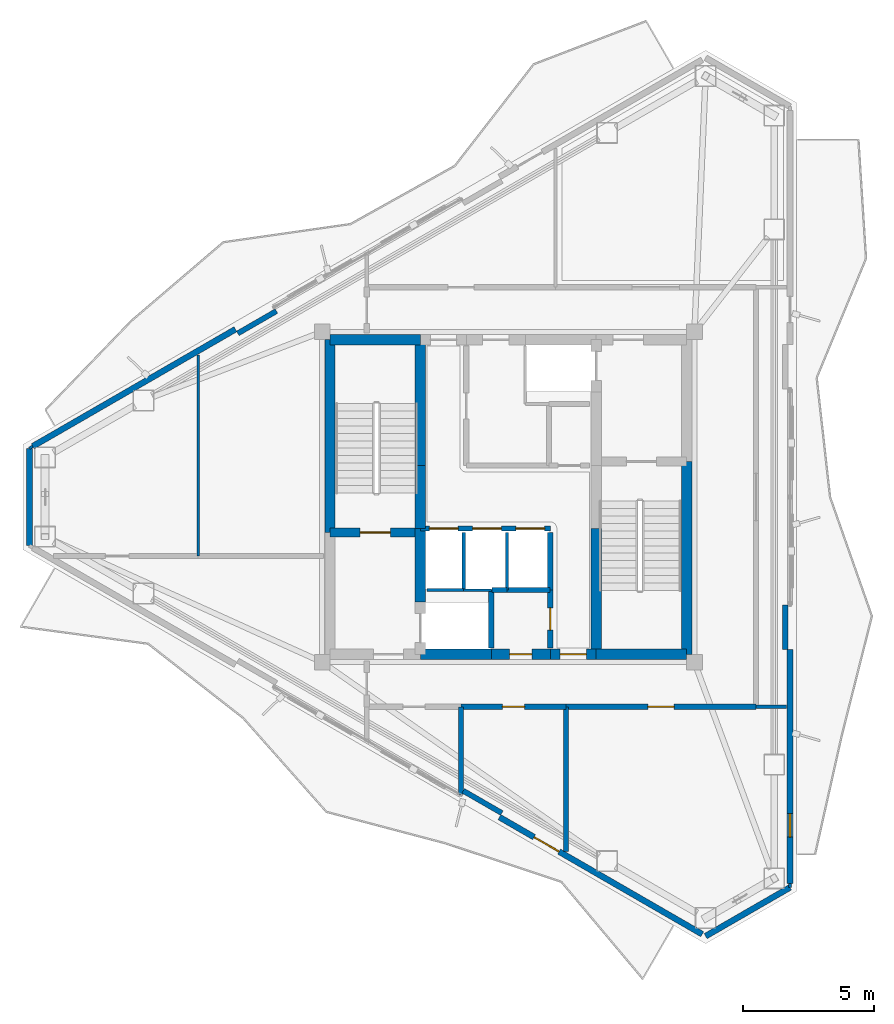
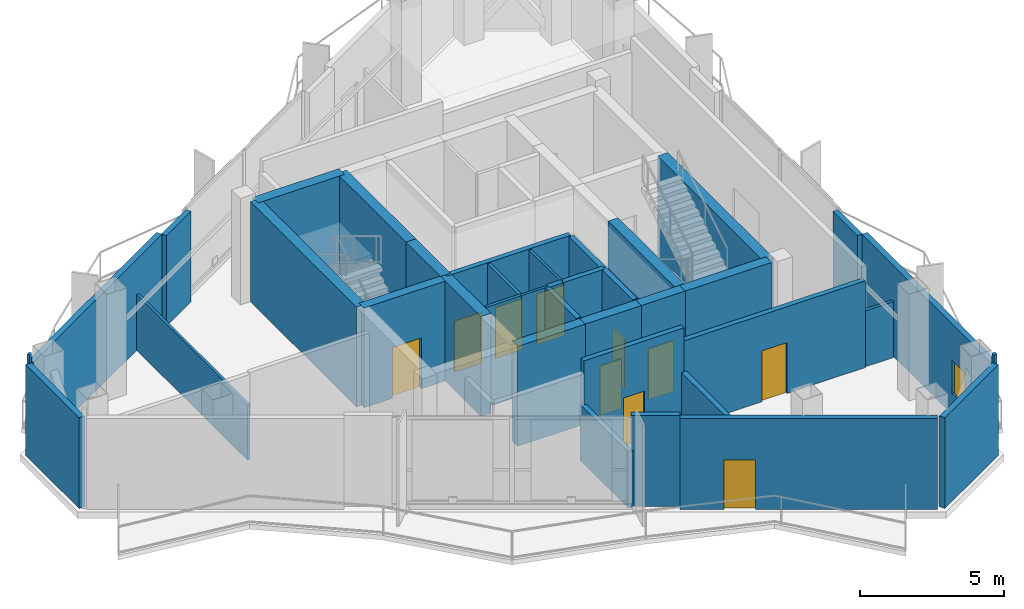
# One storey, part 10 of 14: 38 walls, 10 doors, 1 window, 11 openings.
"""IFC4 building model written with IfcOpenShell, lengths in metres."""

from ifc_helpers import new_model, si_unit, direction, frame, frame_2d, origin, place, context, subcontext, project, spatial, rectangle, extrude, material, layer, layer_set, type_object, element, fill, save


model = new_model("IFC4")

# Units and contexts
model_context = context("Model", 3, precision=1e-05, world=origin(), true_north=direction((0.0, 1.0)))
body_context = subcontext(model_context, "Body", "Model", "MODEL_VIEW")
ifc_project = project(units=[si_unit("LENGTHUNIT", "METRE"), si_unit("AREAUNIT", "SQUARE_METRE"), si_unit("VOLUMEUNIT", "CUBIC_METRE"), si_unit("PLANEANGLEUNIT", "RADIAN"), si_unit("MASSUNIT", "GRAM", prefix="KILO")], contexts=[model_context])

# Site, building, storey
site_placement = place(None, origin())
site = spatial("IfcSite", under=ifc_project, at=site_placement, CompositionType="ELEMENT")
building_placement = place(site_placement, origin())
building = spatial("IfcBuilding", under=site, at=building_placement, Name="Mersakhor Tower and Convention Hall", CompositionType="ELEMENT")
storey_placement = place(building_placement, frame((0.0, 0.0, 249.60009765625)))
storey = spatial("IfcBuildingStorey", under=building, at=storey_placement, Name="L70", CompositionType="ELEMENT", Elevation=249.60009765625)

# Walls
ifc_material_1 = material(Name="Precast concrete C40/50", Category="concrete")
ifc_layer_1 = layer(ifc_material_1, 0.22509765625)
ifc_layer_set_1 = layer_set([ifc_layer_1], Name="Precast concrete C40/50")
wall_type_1 = type_object("IfcWallType", Name="WL-EXT-225", PredefinedType="SOLIDWALL", material=ifc_layer_set_1)
wall_1_placement = place(storey_placement, frame((39.742919921875, 11.858154296875, 0.0), z_axis=(0.0, 0.0, 1.0), x_axis=(-0.866038962515, -0.499976514854, 0.0)))
element("IfcWall", 1, at=wall_1_placement, inside=storey, type_object=wall_type_1, Name="L70 Chamfer Braced Spandrel Wall C2", PredefinedType="SOLIDWALL", context=body_context, shape_type="SweptSolid", body=[
    extrude(rectangle(XDim=3.715576171875, YDim=0.22509765625, at=frame_2d((1.85791015625, 0.0))), origin(), (0.0, 0.0, 1.0), 3.83984375),
])
wall_2_placement = place(storey_placement, frame((10.73193359375, 24.892333984375, 0.0), z_axis=(0.0, 0.0, 1.0), x_axis=(0.0, 1.0, 0.0)))
element("IfcWall", 2, at=wall_2_placement, inside=storey, type_object=wall_type_1, Name="L70 Chamfer Braced Spandrel Wall C3", PredefinedType="SOLIDWALL", context=body_context, shape_type="SweptSolid", body=[
    extrude(rectangle(XDim=3.71533203125, YDim=0.22509765625, at=frame_2d((1.857666015625, 0.0))), origin(), (0.0, 0.0, 1.0), 3.83984375),
])
wall_3_placement = place(storey_placement, frame((10.86181640625, 28.6826171875, 0.0), z_axis=(0.0, 0.0, 1.0), x_axis=(0.866026655105, 0.499997832642, 0.0)))
element("IfcWall", 3, at=wall_3_placement, inside=storey, type_object=wall_type_1, Name="L70 Exterior Facade Wall F1-B1", PredefinedType="SOLIDWALL", context=body_context, shape_type="SweptSolid", body=[
    extrude(rectangle(XDim=8.927734375, YDim=0.22509765625, at=frame_2d((4.4638671875, 0.0))), origin(), (0.0, 0.0, 1.0), 3.83984375),
])

# Wall, opening, window
wall_4_placement = place(storey_placement, frame((39.742919921875, 20.93603515625, 0.0), z_axis=(0.0, 0.0, 1.0), x_axis=(0.0, -1.0, 0.0)))
wall_4 = element("IfcWall", 4, at=wall_4_placement, inside=storey, type_object=wall_type_1, Name="L70 Exterior Facade Wall F2-B3", PredefinedType="SOLIDWALL", context=body_context, shape_type="SweptSolid", body=[
    extrude(rectangle(XDim=8.927734375, YDim=0.22509765625, at=frame_2d((4.4638671875, 0.0))), origin(), (0.0, 0.0, 1.0), 3.83984375),
])
opening_1_placement = place(wall_4_placement, frame((6.261962890625, 0.0, 0.89990234375)))
opening_1 = element("IfcOpeningElement", 5, at=opening_1_placement, cuts=wall_4, Name="Opening W-06", PredefinedType="OPENING", context=body_context, shape_type="SweptSolid", body=[
    extrude(rectangle(XDim=0.89990234375, YDim=1.39990234375, at=frame_2d((0.449951171875, 0.699951171875))), frame((0.0, 0.12255859375, 0.0), z_axis=(0.0, -1.0, 0.0), x_axis=(1.0, 0.0, 0.0)), (0.0, 0.0, 1.0), 0.2451171875),
])
ifc_material_2 = material(Name="Dark solar low-E glazed aluminium window", Category="aluminium")
window_type = type_object("IfcWindowType", Name="WN-STD-090x140", PartitioningType="SINGLE_PANEL", PredefinedType="WINDOW", material=ifc_material_2)
window_placement = place(opening_1_placement, origin())
window = element("IfcWindow", 6, at=window_placement, inside=storey, type_object=window_type, Name="L70 Facade Punched Window F2-B3", OverallHeight=1.39990234375, OverallWidth=0.89990234375, PartitioningType="SINGLE_PANEL", PredefinedType="WINDOW", context=body_context, shape_type="SweptSolid", body=[
    extrude(rectangle(XDim=0.89990234375, YDim=1.39990234375, at=frame_2d((0.449951171875, 0.699951171875))), frame((0.0, 0.030029296875, 0.0), z_axis=(0.0, -1.0, 0.0), x_axis=(1.0, 0.0, 0.0)), (0.0, 0.0, 1.0), 0.06005859375),
])
fill(opening_1, window)

# Wall, opening, door
wall_5_placement = place(storey_placement, frame((36.395263671875, 10.07568359375, 0.0), z_axis=(0.0, 0.0, 1.0), x_axis=(-0.866026655105, 0.499997832642, 0.0)))
wall_5 = element("IfcWall", 7, at=wall_5_placement, inside=storey, type_object=wall_type_1, Name="L70 Exterior Facade Wall F3-B1", PredefinedType="SOLIDWALL", context=body_context, shape_type="SweptSolid", body=[
    extrude(rectangle(XDim=8.927734375, YDim=0.22509765625, at=frame_2d((4.4638671875, 0.0))), origin(), (0.0, 0.0, 1.0), 3.83984375),
])
opening_2_placement = place(wall_5_placement, frame((6.302001953125, 0.0, 0.0)))
opening_2 = element("IfcOpeningElement", 8, at=opening_2_placement, cuts=wall_5, Name="Opening BD-02", PredefinedType="OPENING", context=body_context, shape_type="SweptSolid", body=[
    extrude(rectangle(XDim=1.10009765625, YDim=2.10009765625, at=frame_2d((0.550048828125, 1.050048828125))), frame((0.0, 0.12255859375, 0.0), z_axis=(0.0, -1.0, 0.0), x_axis=(1.0, 0.0, 0.0)), (0.0, 0.0, 1.0), 0.2451171875),
])
ifc_material_3 = material(Name="Thermally broken dark aluminium and safety glass", Category="aluminium")
door_type_1 = type_object("IfcDoorType", Name="DR-BAL-110x210", OperationType="NOTDEFINED", PredefinedType="DOOR", material=ifc_material_3)
door_1_placement = place(opening_2_placement, origin())
door_1 = element("IfcDoor", 9, at=door_1_placement, inside=storey, type_object=door_type_1, Name="L70 Balcony Terrace Door F3-B1", OperationType="SINGLE_SWING_RIGHT", OverallHeight=2.10009765625, OverallWidth=1.10009765625, PredefinedType="DOOR", context=body_context, shape_type="SweptSolid", body=[
    extrude(rectangle(XDim=1.10009765625, YDim=2.10009765625, at=frame_2d((0.550048828125, 1.050048828125))), frame((0.0, 0.02490234375, 0.0), z_axis=(0.0, -1.0, 0.0), x_axis=(1.0, 0.0, 0.0)), (0.0, 0.0, 1.0), 0.050048828125),
])
fill(opening_2, door_1)

# Walls
ifc_material_4 = material(Name="Precast concrete C40/50", Category="concrete")
ifc_layer_2 = layer(ifc_material_4, 0.199951171875)
ifc_layer_set_2 = layer_set([ifc_layer_2], Name="Precast concrete C40/50")
wall_type_2 = type_object("IfcWallType", Name="WL-PAR-200", PredefinedType="PARAPET", material=ifc_layer_set_2)
wall_6_placement = place(storey_placement, frame((18.68359375, 32.99072265625, 0.0), z_axis=(0.0, 0.0, 1.0), x_axis=(0.866025371046, 0.500000056704, 0.0)))
element("IfcWall", 10, at=wall_6_placement, inside=storey, type_object=wall_type_2, Name="L70 Column Pier Cladding Wall F1-C1", PredefinedType="PARAPET", context=body_context, shape_type="SweptSolid", body=[
    extrude(rectangle(XDim=1.7001953125, YDim=0.199951171875, at=frame_2d((0.85009765625, 0.0))), origin(), (0.0, 0.0, 1.0), 3.83984375),
])
wall_7_placement = place(storey_placement, frame((39.562744140625, 22.635986328125, 0.0), z_axis=(0.0, 0.0, 1.0), x_axis=(0.0, -1.0, 0.0)))
element("IfcWall", 11, at=wall_7_placement, inside=storey, type_object=wall_type_2, Name="L70 Column Pier Cladding Wall F2-C2", PredefinedType="PARAPET", context=body_context, shape_type="SweptSolid", body=[
    extrude(rectangle(XDim=1.699951171875, YDim=0.199951171875, at=frame_2d((0.85009765625, 0.0))), origin(), (0.0, 0.0, 1.0), 3.83984375),
])
wall_8_placement = place(storey_placement, frame((28.753662109375, 14.6953125, 0.0), z_axis=(0.0, 0.0, 1.0), x_axis=(-0.866025371046, 0.500000056704, 0.0)))
element("IfcWall", 12, at=wall_8_placement, inside=storey, type_object=wall_type_2, Name="L70 Column Pier Cladding Wall F3-C1", PredefinedType="PARAPET", context=body_context, shape_type="SweptSolid", body=[
    extrude(rectangle(XDim=1.7001953125, YDim=0.199951171875, at=frame_2d((0.85009765625, 0.0))), origin(), (0.0, 0.0, 1.0), 3.83984375),
])
ifc_material_5 = material(Name="Lightweight gypsum partition", Category="other")
ifc_layer_3 = layer(ifc_material_5, 0.10009765625)
ifc_layer_set_3 = layer_set([ifc_layer_3], Name="Lightweight gypsum partition")
wall_type_3 = type_object("IfcWallType", Name="WL-PRT-100", PredefinedType="PARTITIONING", material=ifc_layer_set_3)
wall_9_placement = place(storey_placement, frame((27.300048828125, 23.199951171875, 0.0), z_axis=(0.0, 0.0, 1.0), x_axis=(1.0, 0.0, 0.0)))
element("IfcWall", 13, at=wall_9_placement, inside=storey, type_object=wall_type_3, Name="L70 Interior Partition Wall P-002", PredefinedType="PARTITIONING", context=body_context, shape_type="SweptSolid", body=[
    extrude(rectangle(XDim=1.050048828125, YDim=0.10009765625, at=frame_2d((0.52490234375, 0.0))), origin(), (0.0, 0.0, 1.0), 4.219970703125),
])
wall_10_placement = place(storey_placement, frame((28.949951171875, 25.39990234375, 0.0), z_axis=(0.0, 0.0, 1.0), x_axis=(0.0, -1.0, 0.0)))
element("IfcWall", 14, at=wall_10_placement, inside=storey, type_object=wall_type_3, Name="L70 Interior Partition Wall P-008", PredefinedType="PARTITIONING", context=body_context, shape_type="SweptSolid", body=[
    extrude(rectangle(XDim=2.199951171875, YDim=0.10009765625, at=frame_2d((1.10009765625, 0.0))), origin(), (0.0, 0.0, 1.0), 4.219970703125),
])
wall_11_placement = place(storey_placement, frame((17.169921875, 32.1669921875, 0.0), z_axis=(0.0, 0.0, 1.0), x_axis=(0.0, -1.0, 0.0)))
element("IfcWall", 15, at=wall_11_placement, inside=storey, type_object=wall_type_3, Name="L70 Interior Partition Wall P-036", PredefinedType="PARTITIONING", context=body_context, shape_type="SweptSolid", body=[
    extrude(rectangle(XDim=7.6669921875, YDim=0.10009765625, at=frame_2d((3.83349609375, 0.0))), origin(), (0.0, 0.0, 1.0), 2.364990234375),
])
wall_12_placement = place(storey_placement, frame((10.73193359375, 28.60791015625, 0.0), z_axis=(0.0, 0.0, 1.0), x_axis=(0.866131372301, 0.499816412211, 0.0)))
element("IfcWall", 16, at=wall_12_placement, inside=storey, type_object=wall_type_3, Name="L70 Interior Partition Wall P-038", PredefinedType="PARTITIONING", context=body_context, shape_type="SweptSolid", body=[
    extrude(rectangle(XDim=0.14990234375, YDim=0.10009765625, at=frame_2d((0.074951171875, 0.0))), origin(), (0.0, 0.0, 1.0), 4.219970703125),
])
ifc_material_6 = material(Name="Gypsum board acoustic partition", Category="other")
ifc_layer_4 = layer(ifc_material_6, 0.125)
ifc_layer_set_4 = layer_set([ifc_layer_4], Name="Gypsum board acoustic partition")
wall_type_4 = type_object("IfcWallType", Name="WL-PRT-125", PredefinedType="PARTITIONING", material=ifc_layer_set_4)
wall_13_placement = place(storey_placement, frame((25.89990234375, 23.199951171875, 0.0), z_axis=(0.0, 0.0, 1.0), x_axis=(1.0, 0.0, 0.0)))
element("IfcWall", 17, at=wall_13_placement, inside=storey, type_object=wall_type_4, Name="L70 Interior Partition Wall P-001", PredefinedType="PARTITIONING", context=body_context, shape_type="SweptSolid", body=[
    extrude(rectangle(XDim=1.400146484375, YDim=0.125, at=frame_2d((0.7001953125, 0.0))), origin(), (0.0, 0.0, 1.0), 4.219970703125),
])
wall_14_placement = place(storey_placement, frame((27.300048828125, 25.39990234375, 0.0), z_axis=(0.0, 0.0, 1.0), x_axis=(0.0, -1.0, 0.0)))
element("IfcWall", 18, at=wall_14_placement, inside=storey, type_object=wall_type_4, Name="L70 Interior Partition Wall P-007", PredefinedType="PARTITIONING", context=body_context, shape_type="SweptSolid", body=[
    extrude(rectangle(XDim=2.199951171875, YDim=0.125, at=frame_2d((1.10009765625, 0.0))), origin(), (0.0, 0.0, 1.0), 4.219970703125),
])
wall_15_placement = place(storey_placement, frame((39.606201171875, 18.75, 0.0), z_axis=(0.0, 0.0, 1.0), x_axis=(-1.0, 0.0, 0.0)))
element("IfcWall", 19, at=wall_15_placement, inside=storey, type_object=wall_type_4, Name="L70 Interior Partition Wall P-033", PredefinedType="PARTITIONING", context=body_context, shape_type="SweptSolid", body=[
    extrude(rectangle(XDim=1.15625, YDim=0.125, at=frame_2d((0.578125, 0.0))), origin(), (0.0, 0.0, 1.0), 2.364990234375),
])
wall_16_placement = place(storey_placement, frame((39.742919921875, 12.00830078125, 0.0), z_axis=(0.0, 0.0, 1.0), x_axis=(0.0, -1.0, 0.0)))
element("IfcWall", 20, at=wall_16_placement, inside=storey, type_object=wall_type_4, Name="L70 Interior Partition Wall P-035", PredefinedType="PARTITIONING", context=body_context, shape_type="SweptSolid", body=[
    extrude(rectangle(XDim=0.150390625, YDim=0.125, at=frame_2d((0.0751953125, 0.0))), origin(), (0.0, 0.0, 1.0), 4.219970703125),
])

# Wall, openings, doors
ifc_material_7 = material(Name="Acoustic concrete blockwork and gypsum board", Category="masonry")
ifc_layer_5 = layer(ifc_material_7, 0.199951171875)
ifc_layer_set_5 = layer_set([ifc_layer_5], Name="Acoustic concrete blockwork and gypsum board")
wall_type_5 = type_object("IfcWallType", Name="WL-PRT-200", PredefinedType="PARTITIONING", material=ifc_layer_set_5)
wall_17_placement = place(storey_placement, frame((25.64990234375, 25.550048828125, 0.0), z_axis=(0.0, 0.0, 1.0), x_axis=(1.0, 0.0, 0.0)))
wall_17 = element("IfcWall", 21, at=wall_17_placement, inside=storey, type_object=wall_type_5, Name="L70 High-Rise Lift Bank Front Wall", PredefinedType="PARTITIONING", context=body_context, shape_type="SweptSolid", body=[
    extrude(rectangle(XDim=4.9501953125, YDim=0.199951171875, at=frame_2d((2.47509765625, 0.0))), origin(), (0.0, 0.0, 1.0), 4.219970703125),
])
opening_3_placement = place(wall_17_placement, frame((0.340087890625, 0.0, 0.0)))
opening_3 = element("IfcOpeningElement", 22, at=opening_3_placement, cuts=wall_17, Name="Opening LD-P4", PredefinedType="OPENING", context=body_context, shape_type="SweptSolid", body=[
    extrude(rectangle(XDim=1.10009765625, YDim=2.14990234375, at=frame_2d((0.550048828125, 1.074951171875))), frame((0.0, 0.10986328125, 0.0), z_axis=(0.0, -1.0, 0.0), x_axis=(1.0, 0.0, 0.0)), (0.0, 0.0, 1.0), 0.219970703125),
])
opening_4_placement = place(wall_17_placement, frame((1.989990234375, 0.0, 0.0)))
opening_4 = element("IfcOpeningElement", 23, at=opening_4_placement, cuts=wall_17, Name="Opening LD-P5", PredefinedType="OPENING", context=body_context, shape_type="SweptSolid", body=[
    extrude(rectangle(XDim=1.10009765625, YDim=2.14990234375, at=frame_2d((0.550048828125, 1.074951171875))), frame((0.0, 0.10986328125, 0.0), z_axis=(0.0, -1.0, 0.0), x_axis=(1.0, 0.0, 0.0)), (0.0, 0.0, 1.0), 0.219970703125),
])
opening_5_placement = place(wall_17_placement, frame((3.639892578125, 0.0, 0.0)))
opening_5 = element("IfcOpeningElement", 24, at=opening_5_placement, cuts=wall_17, Name="Opening LD-P6", PredefinedType="OPENING", context=body_context, shape_type="SweptSolid", body=[
    extrude(rectangle(XDim=1.10009765625, YDim=2.14990234375, at=frame_2d((0.550048828125, 1.074951171875))), frame((0.0, 0.10986328125, 0.0), z_axis=(0.0, -1.0, 0.0), x_axis=(1.0, 0.0, 0.0)), (0.0, 0.0, 1.0), 0.219970703125),
])
ifc_material_8 = material(Name="Fire-rated brushed stainless steel sliding landing door", Category="steel")
door_type_2 = type_object("IfcDoorType", Name="DR-LIFT-SLD-110x215", OperationType="NOTDEFINED", PredefinedType="DOOR", material=ifc_material_8)
door_2_placement = place(opening_3_placement, origin())
door_2 = element("IfcDoor", 25, at=door_2_placement, inside=storey, type_object=door_type_2, Name="L70 Lift Landing Door LD-P4", OperationType="SLIDING_TO_LEFT", OverallHeight=2.14990234375, OverallWidth=1.10009765625, PredefinedType="DOOR", context=body_context, shape_type="SweptSolid", body=[
    extrude(rectangle(XDim=1.10009765625, YDim=2.14990234375, at=frame_2d((0.550048828125, 1.074951171875))), frame((0.0, 0.02490234375, 0.0), z_axis=(0.0, -1.0, 0.0), x_axis=(1.0, 0.0, 0.0)), (0.0, 0.0, 1.0), 0.050048828125),
])
fill(opening_3, door_2)
door_3_placement = place(opening_4_placement, origin())
door_3 = element("IfcDoor", 26, at=door_3_placement, inside=storey, type_object=door_type_2, Name="L70 Lift Landing Door LD-P5", OperationType="SLIDING_TO_LEFT", OverallHeight=2.14990234375, OverallWidth=1.10009765625, PredefinedType="DOOR", context=body_context, shape_type="SweptSolid", body=[
    extrude(rectangle(XDim=1.10009765625, YDim=2.14990234375, at=frame_2d((0.550048828125, 1.074951171875))), frame((0.0, 0.02490234375, 0.0), z_axis=(0.0, -1.0, 0.0), x_axis=(1.0, 0.0, 0.0)), (0.0, 0.0, 1.0), 0.050048828125),
])
fill(opening_4, door_3)
door_4_placement = place(opening_5_placement, origin())
door_4 = element("IfcDoor", 27, at=door_4_placement, inside=storey, type_object=door_type_2, Name="L70 Lift Landing Door LD-P6", OperationType="SLIDING_TO_LEFT", OverallHeight=2.14990234375, OverallWidth=1.10009765625, PredefinedType="DOOR", context=body_context, shape_type="SweptSolid", body=[
    extrude(rectangle(XDim=1.10009765625, YDim=2.14990234375, at=frame_2d((0.550048828125, 1.074951171875))), frame((0.0, 0.02490234375, 0.0), z_axis=(0.0, -1.0, 0.0), x_axis=(1.0, 0.0, 0.0)), (0.0, 0.0, 1.0), 0.050048828125),
])
fill(opening_5, door_4)

# Walls
wall_18_placement = place(storey_placement, frame((28.35009765625, 23.199951171875, 0.0), z_axis=(0.0, 0.0, 1.0), x_axis=(0.0, -1.0, 0.0)))
element("IfcWall", 28, at=wall_18_placement, inside=storey, type_object=wall_type_5, Name="L70 Interior Partition Wall P-003", PredefinedType="PARTITIONING", context=body_context, shape_type="SweptSolid", body=[
    extrude(rectangle(XDim=2.199951171875, YDim=0.199951171875, at=frame_2d((1.10009765625, 0.0))), origin(), (0.0, 0.0, 1.0), 4.219970703125),
])
wall_19_placement = place(storey_placement, frame((28.949951171875, 23.199951171875, 0.0), z_axis=(0.0, 0.0, 1.0), x_axis=(-1.0, 0.0, 0.0)))
element("IfcWall", 29, at=wall_19_placement, inside=storey, type_object=wall_type_5, Name="L70 Interior Partition Wall P-009", PredefinedType="PARTITIONING", context=body_context, shape_type="SweptSolid", body=[
    extrude(rectangle(XDim=0.570068359375, YDim=0.199951171875, at=frame_2d((0.28515625, 0.0))), origin(), (0.0, 0.0, 1.0), 4.219970703125),
])
wall_20_placement = place(storey_placement, frame((30.60009765625, 25.39990234375, 0.0), z_axis=(0.0, 0.0, 1.0), x_axis=(0.0, -1.0, 0.0)))
element("IfcWall", 30, at=wall_20_placement, inside=storey, type_object=wall_type_5, Name="L70 Interior Partition Wall P-010", PredefinedType="PARTITIONING", context=body_context, shape_type="SweptSolid", body=[
    extrude(rectangle(XDim=2.199951171875, YDim=0.199951171875, at=frame_2d((1.10009765625, 0.0))), origin(), (0.0, 0.0, 1.0), 4.219970703125),
])
wall_21_placement = place(storey_placement, frame((30.60009765625, 23.199951171875, 0.0), z_axis=(0.0, 0.0, 1.0), x_axis=(-1.0, 0.0, 0.0)))
element("IfcWall", 31, at=wall_21_placement, inside=storey, type_object=wall_type_5, Name="L70 Interior Partition Wall P-011", PredefinedType="PARTITIONING", context=body_context, shape_type="SweptSolid", body=[
    extrude(rectangle(XDim=1.650146484375, YDim=0.199951171875, at=frame_2d((0.8251953125, 0.0))), origin(), (0.0, 0.0, 1.0), 4.219970703125),
])

# Wall, opening, door
wall_22_placement = place(storey_placement, frame((30.60009765625, 21.0, 0.0), z_axis=(0.0, 0.0, 1.0), x_axis=(0.0, 1.0, 0.0)))
wall_22 = element("IfcWall", 32, at=wall_22_placement, inside=storey, type_object=wall_type_5, Name="L70 Interior Partition Wall P-012", PredefinedType="PARTITIONING", context=body_context, shape_type="SweptSolid", body=[
    extrude(rectangle(XDim=2.199951171875, YDim=0.199951171875, at=frame_2d((1.10009765625, 0.0))), origin(), (0.0, 0.0, 1.0), 4.219970703125),
])
opening_6_placement = place(wall_22_placement, frame((0.675048828125, 0.0, 0.0)))
opening_6 = element("IfcOpeningElement", 33, at=opening_6_placement, cuts=wall_22, Name="Opening SVD-01", PredefinedType="OPENING", context=body_context, shape_type="SweptSolid", body=[
    extrude(rectangle(XDim=0.85009765625, YDim=2.10009765625, at=frame_2d((0.425048828125, 1.050048828125))), frame((0.0, 0.10986328125, 0.0), z_axis=(0.0, -1.0, 0.0), x_axis=(1.0, 0.0, 0.0)), (0.0, 0.0, 1.0), 0.219970703125),
])
ifc_material_9 = material(Name="Fire-rated hardwood leaf and painted steel frame", Category="steel")
door_type_3 = type_object("IfcDoorType", Name="DR-INT-SVC-085x210", OperationType="NOTDEFINED", PredefinedType="DOOR", material=ifc_material_9)
door_5_placement = place(opening_6_placement, origin())
door_5 = element("IfcDoor", 34, at=door_5_placement, inside=storey, type_object=door_type_3, Name="L70 Central Passenger Lift Lobby to Electrical Distribution Room Door", OperationType="SINGLE_SWING_RIGHT", OverallHeight=2.10009765625, OverallWidth=0.85009765625, PredefinedType="DOOR", context=body_context, shape_type="SweptSolid", body=[
    extrude(rectangle(XDim=0.85009765625, YDim=2.10009765625, at=frame_2d((0.425048828125, 1.050048828125))), frame((0.0, 0.02490234375, 0.0), z_axis=(0.0, -1.0, 0.0), x_axis=(1.0, 0.0, 0.0)), (0.0, 0.0, 1.0), 0.050048828125),
])
fill(opening_6, door_5)

wall_23_placement = place(storey_placement, frame((38.449951171875, 18.75, 0.0), z_axis=(0.0, 0.0, 1.0), x_axis=(-1.0, 0.0, 0.0)))
wall_23 = element("IfcWall", 35, at=wall_23_placement, inside=storey, type_object=wall_type_5, Name="L70 Interior Partition Wall P-020", PredefinedType="PARTITIONING", context=body_context, shape_type="SweptSolid", body=[
    extrude(rectangle(XDim=7.25, YDim=0.199951171875, at=frame_2d((3.625, 0.0))), origin(), (0.0, 0.0, 1.0), 3.668212890625),
])
opening_7_placement = place(wall_23_placement, frame((3.125, 0.0, 0.0)))
opening_7 = element("IfcOpeningElement", 36, at=opening_7_placement, cuts=wall_23, Name="Opening FD-01", PredefinedType="OPENING", context=body_context, shape_type="SweptSolid", body=[
    extrude(rectangle(XDim=1.0, YDim=2.14990234375, at=frame_2d((0.5, 1.074951171875))), frame((0.0, 0.10986328125, 0.0), z_axis=(0.0, -1.0, 0.0), x_axis=(1.0, 0.0, 0.0)), (0.0, 0.0, 1.0), 0.219970703125),
])
ifc_material_10 = material(Name="Fire-rated hardwood leaf and painted steel frame", Category="steel")
door_type_4 = type_object("IfcDoorType", Name="DR-INT-FLT-100x215", OperationType="NOTDEFINED", PredefinedType="DOOR", material=ifc_material_10)
door_6_placement = place(opening_7_placement, origin())
door_6 = element("IfcDoor", 37, at=door_6_placement, inside=storey, type_object=door_type_4, Name="L70 L70 Sky-Lobby Corridor to South Conservatory Reading Pavilion Door", OperationType="SINGLE_SWING_RIGHT", OverallHeight=2.14990234375, OverallWidth=1.0, PredefinedType="DOOR", context=body_context, shape_type="SweptSolid", body=[
    extrude(rectangle(XDim=1.0, YDim=2.14990234375, at=frame_2d((0.5, 1.074951171875))), frame((0.0, 0.02490234375, 0.0), z_axis=(0.0, -1.0, 0.0), x_axis=(1.0, 0.0, 0.0)), (0.0, 0.0, 1.0), 0.050048828125),
])
fill(opening_7, door_6)

wall_24_placement = place(storey_placement, frame((31.199951171875, 18.75, 0.0), z_axis=(0.0, 0.0, 1.0), x_axis=(-1.0, 0.0, 0.0)))
wall_24 = element("IfcWall", 38, at=wall_24_placement, inside=storey, type_object=wall_type_5, Name="L70 Interior Partition Wall P-021", PredefinedType="PARTITIONING", context=body_context, shape_type="SweptSolid", body=[
    extrude(rectangle(XDim=4.0, YDim=0.199951171875, at=frame_2d((2.0, 0.0))), origin(), (0.0, 0.0, 1.0), 4.219970703125),
])
opening_8_placement = place(wall_24_placement, frame((1.574951171875, 0.0, 0.0)))
opening_8 = element("IfcOpeningElement", 39, at=opening_8_placement, cuts=wall_24, Name="Opening SVD-01", PredefinedType="OPENING", context=body_context, shape_type="SweptSolid", body=[
    extrude(rectangle(XDim=0.85009765625, YDim=2.10009765625, at=frame_2d((0.425048828125, 1.050048828125))), frame((0.0, 0.10986328125, 0.0), z_axis=(0.0, -1.0, 0.0), x_axis=(1.0, 0.0, 0.0)), (0.0, 0.0, 1.0), 0.219970703125),
])
door_7_placement = place(opening_8_placement, origin())
door_7 = element("IfcDoor", 40, at=door_7_placement, inside=storey, type_object=door_type_3, Name="L70 L70 Sky-Lobby Corridor to Botanical Care and Horticulture Store Door", OperationType="SINGLE_SWING_LEFT", OverallHeight=2.10009765625, OverallWidth=0.85009765625, PredefinedType="DOOR", context=body_context, shape_type="SweptSolid", body=[
    extrude(rectangle(XDim=0.85009765625, YDim=2.10009765625, at=frame_2d((0.425048828125, 1.050048828125))), frame((0.0, 0.02490234375, 0.0), z_axis=(0.0, -1.0, 0.0), x_axis=(1.0, 0.0, 0.0)), (0.0, 0.0, 1.0), 0.050048828125),
])
fill(opening_8, door_7)

# Walls
wall_25_placement = place(storey_placement, frame((27.199951171875, 18.75, 0.0), z_axis=(0.0, 0.0, 1.0), x_axis=(0.0, -1.0, 0.0)))
element("IfcWall", 41, at=wall_25_placement, inside=storey, type_object=wall_type_5, Name="L70 Interior Partition Wall P-024", PredefinedType="PARTITIONING", context=body_context, shape_type="SweptSolid", body=[
    extrude(rectangle(XDim=3.34228515625, YDim=0.199951171875, at=frame_2d((1.671142578125, 0.0))), origin(), (0.0, 0.0, 1.0), 2.364990234375),
])
wall_26_placement = place(storey_placement, frame((31.199951171875, 13.232666015625, 0.0), z_axis=(0.0, 0.0, 1.0), x_axis=(0.0, 1.0, 0.0)))
element("IfcWall", 42, at=wall_26_placement, inside=storey, type_object=wall_type_5, Name="L70 Interior Partition Wall P-034", PredefinedType="PARTITIONING", context=body_context, shape_type="SweptSolid", body=[
    extrude(rectangle(XDim=5.517333984375, YDim=0.199951171875, at=frame_2d((2.7587890625, 0.0))), origin(), (0.0, 0.0, 1.0), 2.364990234375),
])

# Wall, opening, door
ifc_material_11 = material(Name="Concrete C50/60", Category="concrete")
ifc_layer_6 = layer(ifc_material_11, 0.35009765625)
ifc_layer_set_6 = layer_set([ifc_layer_6], Name="Concrete C50/60")
wall_type_6 = type_object("IfcWallType", Name="WL-SHR-350", PredefinedType="SHEAR", material=ifc_layer_set_6)
wall_27_placement = place(storey_placement, frame((22.199951171875, 25.39990234375, 0.0), z_axis=(0.0, 0.0, 1.0), x_axis=(1.0, 0.0, 0.0)))
wall_27 = element("IfcWall", 43, at=wall_27_placement, inside=storey, type_object=wall_type_6, Name="L70 Core Wall CS-ST1-S", PredefinedType="SHEAR", context=body_context, shape_type="SweptSolid", body=[
    extrude(rectangle(XDim=3.449951171875, YDim=0.35009765625, at=frame_2d((1.72509765625, 0.0))), origin(), (0.0, 0.0, 1.0), 4.219970703125),
])
opening_9_placement = place(wall_27_placement, frame((1.14990234375, 0.0, 0.0)))
opening_9 = element("IfcOpeningElement", 44, at=opening_9_placement, cuts=wall_27, Name="Opening SD-01", PredefinedType="OPENING", context=body_context, shape_type="SweptSolid", body=[
    extrude(rectangle(XDim=1.14990234375, YDim=2.14990234375, at=frame_2d((0.574951171875, 1.074951171875))), frame((0.0, 0.18505859375, 0.0), z_axis=(0.0, -1.0, 0.0), x_axis=(1.0, 0.0, 0.0)), (0.0, 0.0, 1.0), 0.3701171875),
])
ifc_material_12 = material(Name="Fire-rated hardwood leaf and painted steel frame", Category="steel")
door_type_5 = type_object("IfcDoorType", Name="DR-INT-STAIR-115x215", OperationType="NOTDEFINED", PredefinedType="DOOR", material=ifc_material_12)
door_8_placement = place(opening_9_placement, origin())
door_8 = element("IfcDoor", 45, at=door_8_placement, inside=storey, type_object=door_type_5, Name="L70 Exit Stair ST-1 Enclosure Door", OperationType="SINGLE_SWING_LEFT", OverallHeight=2.14990234375, OverallWidth=1.14990234375, PredefinedType="DOOR", context=body_context, shape_type="SweptSolid", body=[
    extrude(rectangle(XDim=1.14990234375, YDim=2.14990234375, at=frame_2d((0.574951171875, 1.074951171875))), frame((0.0, 0.02490234375, 0.0), z_axis=(0.0, -1.0, 0.0), x_axis=(1.0, 0.0, 0.0)), (0.0, 0.0, 1.0), 0.050048828125),
])
fill(opening_9, door_8)

# Walls
ifc_material_13 = material(Name="Concrete C60/75", Category="concrete")
ifc_layer_7 = layer(ifc_material_13, 0.39990234375)
ifc_layer_set_7 = layer_set([ifc_layer_7], Name="Concrete C60/75")
wall_type_7 = type_object("IfcWallType", Name="WL-SHR-400", PredefinedType="SHEAR", material=ifc_layer_set_7)
wall_28_placement = place(storey_placement, frame((22.199951171875, 25.39990234375, 0.0), z_axis=(0.0, 0.0, 1.0), x_axis=(0.0, 1.0, 0.0)))
element("IfcWall", 46, at=wall_28_placement, inside=storey, type_object=wall_type_7, Name="L70 Core Wall CW-W2", PredefinedType="SHEAR", context=body_context, shape_type="SweptSolid", body=[
    extrude(rectangle(XDim=7.35009765625, YDim=0.39990234375, at=frame_2d((3.675048828125, 0.0))), origin(), (0.0, 0.0, 1.0), 4.219970703125),
])
wall_29_placement = place(storey_placement, frame((22.199951171875, 32.75, 0.0), z_axis=(0.0, 0.0, 1.0), x_axis=(1.0, 0.0, 0.0)))
element("IfcWall", 47, at=wall_29_placement, inside=storey, type_object=wall_type_7, Name="L70 Core Wall CW-N1", PredefinedType="SHEAR", context=body_context, shape_type="SweptSolid", body=[
    extrude(rectangle(XDim=3.449951171875, YDim=0.39990234375, at=frame_2d((1.72509765625, 0.0))), origin(), (0.0, 0.0, 1.0), 4.219970703125),
])
wall_30_placement = place(storey_placement, frame((35.800048828125, 28.10009765625, 0.0), z_axis=(0.0, 0.0, 1.0), x_axis=(0.0, -1.0, 0.0)))
element("IfcWall", 48, at=wall_30_placement, inside=storey, type_object=wall_type_7, Name="L70 Core Wall CW-E2", PredefinedType="SHEAR", context=body_context, shape_type="SweptSolid", body=[
    extrude(rectangle(XDim=7.35009765625, YDim=0.39990234375, at=frame_2d((3.675048828125, 0.0))), origin(), (0.0, 0.0, 1.0), 4.219970703125),
])
wall_31_placement = place(storey_placement, frame((35.800048828125, 20.75, 0.0), z_axis=(0.0, 0.0, 1.0), x_axis=(-1.0, 0.0, 0.0)))
element("IfcWall", 49, at=wall_31_placement, inside=storey, type_object=wall_type_7, Name="L70 Core Wall CW-S1", PredefinedType="SHEAR", context=body_context, shape_type="SweptSolid", body=[
    extrude(rectangle(XDim=3.449951171875, YDim=0.39990234375, at=frame_2d((1.72509765625, 0.0))), origin(), (0.0, 0.0, 1.0), 4.219970703125),
])

# Wall, opening, door
wall_32_placement = place(storey_placement, frame((32.35009765625, 20.75, 0.0), z_axis=(0.0, 0.0, 1.0), x_axis=(-1.0, 0.0, 0.0)))
wall_32 = element("IfcWall", 50, at=wall_32_placement, inside=storey, type_object=wall_type_7, Name="L70 Core Wall CW-S2A", PredefinedType="SHEAR", context=body_context, shape_type="SweptSolid", body=[
    extrude(rectangle(XDim=1.75, YDim=0.39990234375, at=frame_2d((0.875, 0.0))), origin(), (0.0, 0.0, 1.0), 4.219970703125),
])
opening_10_placement = place(wall_32_placement, frame((0.375, 0.0, 0.0)))
opening_10 = element("IfcOpeningElement", 51, at=opening_10_placement, cuts=wall_32, Name="Opening CFD-01", PredefinedType="OPENING", context=body_context, shape_type="SweptSolid", body=[
    extrude(rectangle(XDim=1.0, YDim=2.14990234375, at=frame_2d((0.5, 1.074951171875))), frame((0.0, 0.2099609375, 0.0), z_axis=(0.0, -1.0, 0.0), x_axis=(1.0, 0.0, 0.0)), (0.0, 0.0, 1.0), 0.419921875),
])
ifc_material_14 = material(Name="Fire-rated hardwood leaf and painted steel frame", Category="steel")
door_type_6 = type_object("IfcDoorType", Name="DR-CORE-FD-100x215", OperationType="NOTDEFINED", PredefinedType="DOOR", material=ifc_material_14)
door_9_placement = place(opening_10_placement, origin())
door_9 = element("IfcDoor", 52, at=door_9_placement, inside=storey, type_object=door_type_6, Name="L70 Lift Lobby South Corridor Door", OperationType="SINGLE_SWING_RIGHT", OverallHeight=2.14990234375, OverallWidth=1.0, PredefinedType="DOOR", context=body_context, shape_type="SweptSolid", body=[
    extrude(rectangle(XDim=1.0, YDim=2.14990234375, at=frame_2d((0.5, 1.074951171875))), frame((0.0, 0.02490234375, 0.0), z_axis=(0.0, -1.0, 0.0), x_axis=(1.0, 0.0, 0.0)), (0.0, 0.0, 1.0), 0.050048828125),
])
fill(opening_10, door_9)

wall_33_placement = place(storey_placement, frame((30.60009765625, 20.75, 0.0), z_axis=(0.0, 0.0, 1.0), x_axis=(-1.0, 0.0, 0.0)))
wall_33 = element("IfcWall", 53, at=wall_33_placement, inside=storey, type_object=wall_type_7, Name="L70 Core Wall CW-S2B", PredefinedType="SHEAR", context=body_context, shape_type="SweptSolid", body=[
    extrude(rectangle(XDim=2.25, YDim=0.39990234375, at=frame_2d((1.125, 0.0))), origin(), (0.0, 0.0, 1.0), 4.219970703125),
])
opening_11_placement = place(wall_33_placement, frame((0.699951171875, 0.0, 0.0)))
opening_11 = element("IfcOpeningElement", 54, at=opening_11_placement, cuts=wall_33, Name="Opening SVD-01", PredefinedType="OPENING", context=body_context, shape_type="SweptSolid", body=[
    extrude(rectangle(XDim=0.85009765625, YDim=2.10009765625, at=frame_2d((0.425048828125, 1.050048828125))), frame((0.0, 0.2099609375, 0.0), z_axis=(0.0, -1.0, 0.0), x_axis=(1.0, 0.0, 0.0)), (0.0, 0.0, 1.0), 0.419921875),
])
door_10_placement = place(opening_11_placement, origin())
door_10 = element("IfcDoor", 55, at=door_10_placement, inside=storey, type_object=door_type_3, Name="L70 L70 Sky-Lobby Corridor to Electrical Distribution Room Door", OperationType="SINGLE_SWING_RIGHT", OverallHeight=2.10009765625, OverallWidth=0.85009765625, PredefinedType="DOOR", context=body_context, shape_type="SweptSolid", body=[
    extrude(rectangle(XDim=0.85009765625, YDim=2.10009765625, at=frame_2d((0.425048828125, 1.050048828125))), frame((0.0, 0.02490234375, 0.0), z_axis=(0.0, -1.0, 0.0), x_axis=(1.0, 0.0, 0.0)), (0.0, 0.0, 1.0), 0.050048828125),
])
fill(opening_11, door_10)

# Walls
wall_34_placement = place(storey_placement, frame((28.35009765625, 20.75, 0.0), z_axis=(0.0, 0.0, 1.0), x_axis=(-1.0, 0.0, 0.0)))
element("IfcWall", 56, at=wall_34_placement, inside=storey, type_object=wall_type_7, Name="L70 Core Wall CW-S3", PredefinedType="SHEAR", context=body_context, shape_type="SweptSolid", body=[
    extrude(rectangle(XDim=2.7001953125, YDim=0.39990234375, at=frame_2d((1.35009765625, 0.0))), origin(), (0.0, 0.0, 1.0), 4.219970703125),
])
wall_35_placement = place(storey_placement, frame((25.64990234375, 22.75, 0.0), z_axis=(0.0, 0.0, 1.0), x_axis=(0.0, 1.0, 0.0)))
element("IfcWall", 57, at=wall_35_placement, inside=storey, type_object=wall_type_7, Name="L70 Core Wall CS-W-MID", PredefinedType="SHEAR", context=body_context, shape_type="SweptSolid", body=[
    extrude(rectangle(XDim=2.800048828125, YDim=0.39990234375, at=frame_2d((1.39990234375, 0.0))), origin(), (0.0, 0.0, 1.0), 4.219970703125),
])
wall_36_placement = place(storey_placement, frame((25.64990234375, 25.550048828125, 0.0), z_axis=(0.0, 0.0, 1.0), x_axis=(0.0, 1.0, 0.0)))
element("IfcWall", 58, at=wall_36_placement, inside=storey, type_object=wall_type_7, Name="L70 Core Wall CS-W-LOB", PredefinedType="SHEAR", context=body_context, shape_type="SweptSolid", body=[
    extrude(rectangle(XDim=2.39990234375, YDim=0.39990234375, at=frame_2d((1.199951171875, 0.0))), origin(), (0.0, 0.0, 1.0), 4.219970703125),
])
for number, where, z_axis, x_axis, name in (
    (59, (25.64990234375, 27.949951171875, 0.0), (0.0, 0.0, 1.0), (0.0, 1.0, 0.0), "L70 Core Wall CS-W-ST1"),
    (60, (32.35009765625, 20.75, 0.0), (0.0, 0.0, 1.0), (0.0, 1.0, 0.0), "L70 Core Wall CS-E-ST2"),
):
    element("IfcWall", number, at=place(storey_placement, frame(where, z_axis=z_axis, x_axis=x_axis)), inside=storey, type_object=wall_type_7, Name=name, PredefinedType="SHEAR", context=body_context, shape_type="SweptSolid", body=[
        extrude(rectangle(XDim=4.800048828125, YDim=0.39990234375, at=frame_2d((2.39990234375, 0.0))), origin(), (0.0, 0.0, 1.0), 4.219970703125),
    ])

save(model, "model.ifc")
